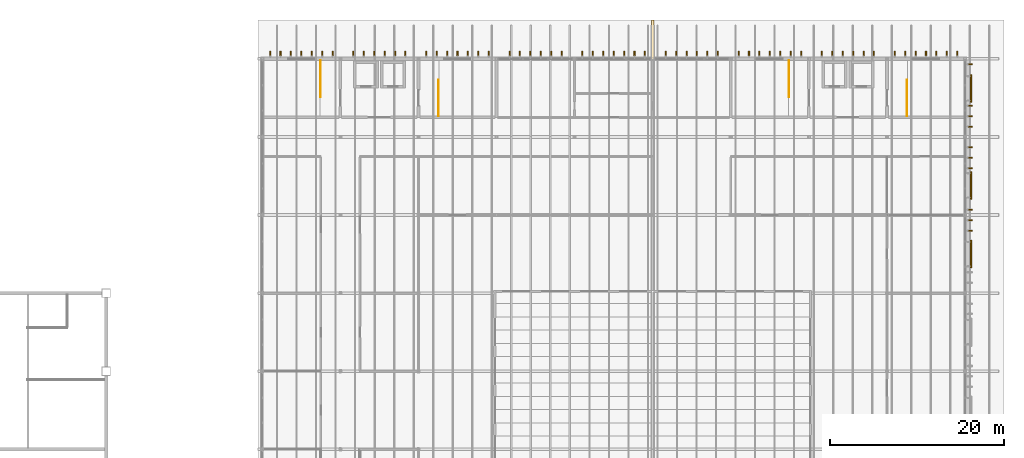
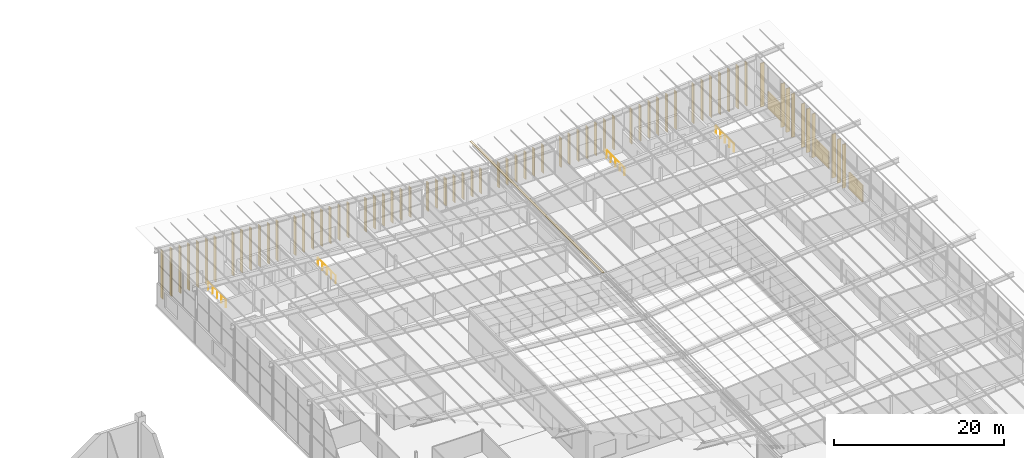
# One storey, part 85 of 85: 70 coverings, 4 railings, 3 shading devices.
"""IFC4 building model written with IfcOpenShell, lengths in metres."""

from ifc_helpers import new_model, si_unit, direction, frame, origin, origin_2d, place, context, subcontext, project, spatial, rectangle, circle, extrude, material, layer, layer_set, constituent, constituent_set, type_object, element, save


model = new_model("IFC4")

# Units and contexts
model_context = context("Model", 3, precision=1e-05, world=origin(), true_north=direction((0.0, 1.0)))
body_context = subcontext(model_context, "Body", "Model", "MODEL_VIEW")
ifc_project = project(units=[si_unit("LENGTHUNIT", "METRE"), si_unit("AREAUNIT", "SQUARE_METRE"), si_unit("VOLUMEUNIT", "CUBIC_METRE"), si_unit("PLANEANGLEUNIT", "RADIAN"), si_unit("MASSUNIT", "GRAM", prefix="KILO")], contexts=[model_context])

# Site, building, storey
site_placement = place(None, origin())
site = spatial("IfcSite", under=ifc_project, at=site_placement, CompositionType="ELEMENT")
building_placement = place(site_placement, origin())
building = spatial("IfcBuilding", under=site, at=building_placement, Name="Opaline Strait Convention Centre", CompositionType="ELEMENT")
storey_placement = place(building_placement, frame((0.0, 0.0, 17.0)))
storey = spatial("IfcBuildingStorey", under=building, at=storey_placement, Name="L03", CompositionType="ELEMENT", Elevation=17.0)

# Railings
ifc_material_1 = material(Name="Steel Q235B", Category="steel")
ifc_constituent_1 = constituent(ifc_material_1, Name="Frame")
ifc_material_2 = material(Name="Safety glass, bonded interlayer", Category="glass")
ifc_constituent_2 = constituent(ifc_material_2, Name="Infill")
ifc_constituent_set = constituent_set(constituents=[ifc_constituent_1, ifc_constituent_2], Name="Steel Q235B, Safety glass, bonded interlayer")
railing_type = type_object("IfcRailingType", Name="Guard 1100 steel and glass", PredefinedType="GUARDRAIL", material=ifc_constituent_set)
railing_1_placement = place(storey_placement, frame((285.7001953125, 179.800048828125, 0.0)))
element("IfcRailing", 1, at=railing_1_placement, inside=storey, type_object=railing_type, Name="L03 S5 top well guard 1", PredefinedType="GUARDRAIL", context=body_context, shape_type="SweptSolid", body=[
    extrude(circle(Radius=0.02392578125, at=origin_2d()), frame((0.0, 0.0, 1.076171875), z_axis=(0.0, -1.0, 0.0), x_axis=(1.0, 0.0, 0.0)), (0.0, 0.0, 1.0), 4.199951171875),
    extrude(circle(Radius=0.02099609375, at=origin_2d()), origin(), (0.0, 0.0, 1.0), 1.052001953125),
    extrude(circle(Radius=0.02099609375, at=origin_2d()), frame((0.0, -1.050048828125, 0.0)), (0.0, 0.0, 1.0), 1.052001953125),
    extrude(circle(Radius=0.02099609375, at=origin_2d()), frame((0.0, -2.10009765625, 0.0)), (0.0, 0.0, 1.0), 1.052001953125),
    extrude(circle(Radius=0.02099609375, at=origin_2d()), frame((0.0, -3.14990234375, 0.0)), (0.0, 0.0, 1.0), 1.052001953125),
    extrude(circle(Radius=0.02099609375, at=origin_2d()), frame((0.0, -4.199951171875, 0.0)), (0.0, 0.0, 1.0), 1.052001953125),
])
for number, where, name in (
    (2, (299.2998046875, 173.39990234375, 0.0), "L03 S6 top well guard 1"),
    (3, (353.2998046875, 173.39990234375, 0.0), "L03 S7 top well guard 1"),
):
    element("IfcRailing", number, at=place(storey_placement, frame(where)), inside=storey, type_object=railing_type, Name=name, PredefinedType="GUARDRAIL", context=body_context, shape_type="SweptSolid", body=[
        extrude(circle(Radius=0.02392578125, at=origin_2d()), frame((0.0, 0.0, 1.076171875), z_axis=(0.0, 1.0, 0.0), x_axis=(-1.0, 0.0, 0.0)), (0.0, 0.0, 1.0), 4.199951171875),
        extrude(circle(Radius=0.02099609375, at=origin_2d()), origin(), (0.0, 0.0, 1.0), 1.052001953125),
        extrude(circle(Radius=0.02099609375, at=origin_2d()), frame((0.0, 1.050048828125, 0.0)), (0.0, 0.0, 1.0), 1.052001953125),
        extrude(circle(Radius=0.02099609375, at=origin_2d()), frame((0.0, 2.10009765625, 0.0)), (0.0, 0.0, 1.0), 1.052001953125),
        extrude(circle(Radius=0.02099609375, at=origin_2d()), frame((0.0, 3.14990234375, 0.0)), (0.0, 0.0, 1.0), 1.052001953125),
        extrude(circle(Radius=0.02099609375, at=origin_2d()), frame((0.0, 4.199951171875, 0.0)), (0.0, 0.0, 1.0), 1.052001953125),
    ])
railing_2_placement = place(storey_placement, frame((339.7001953125, 179.800048828125, 0.0)))
element("IfcRailing", 4, at=railing_2_placement, inside=storey, type_object=railing_type, Name="L03 S8 top well guard 1", PredefinedType="GUARDRAIL", context=body_context, shape_type="SweptSolid", body=[
    extrude(circle(Radius=0.02392578125, at=origin_2d()), frame((0.0, 0.0, 1.076171875), z_axis=(0.0, -1.0, 0.0), x_axis=(1.0, 0.0, 0.0)), (0.0, 0.0, 1.0), 4.199951171875),
    extrude(circle(Radius=0.02099609375, at=origin_2d()), origin(), (0.0, 0.0, 1.0), 1.052001953125),
    extrude(circle(Radius=0.02099609375, at=origin_2d()), frame((0.0, -1.050048828125, 0.0)), (0.0, 0.0, 1.0), 1.052001953125),
    extrude(circle(Radius=0.02099609375, at=origin_2d()), frame((0.0, -2.10009765625, 0.0)), (0.0, 0.0, 1.0), 1.052001953125),
    extrude(circle(Radius=0.02099609375, at=origin_2d()), frame((0.0, -3.14990234375, 0.0)), (0.0, 0.0, 1.0), 1.052001953125),
    extrude(circle(Radius=0.02099609375, at=origin_2d()), frame((0.0, -4.199951171875, 0.0)), (0.0, 0.0, 1.0), 1.052001953125),
])

# Covering
ifc_material_3 = material(Name="Aluminium alloy 6063-T5", Category="aluminium")
ifc_layer_1 = layer(ifc_material_3, 0.0400390625)
ifc_layer_set_1 = layer_set([ifc_layer_1], Name="Aluminium alloy 6063-T5")
covering_type_1 = type_object("IfcCoveringType", Name="Ridge cap 300 aluminium", PredefinedType="CLADDING", material=ifc_layer_set_1)
covering_1_placement = place(storey_placement, frame((324.0, 168.902587890625, 5.025146484375), z_axis=(0.0, 0.0, 1.0), x_axis=(1.0, 0.0, 0.0)))
element("IfcCovering", 5, at=covering_1_placement, inside=storey, type_object=covering_type_1, Name="MRC1 valley ridge cap N", PredefinedType="CLADDING", context=body_context, shape_type="SweptSolid", body=[
    extrude(rectangle(XDim=0.300048828125, YDim=31.114990234375, at=origin_2d()), origin(), (0.0, 0.0, 1.0), 0.0400390625),
])

# Shading devices
ifc_layer_2 = layer(ifc_material_3, 0.14990234375)
ifc_layer_set_2 = layer_set([ifc_layer_2], Name="Aluminium alloy 6063-T5")
shading_device_type = type_object("IfcShadingDeviceType", Name="Storm louvre 3200 x 2400 aluminium", PredefinedType="JALOUSIE", material=ifc_layer_set_2)
for number, where, z_axis, x_axis, name in (
    (6, (360.675048828125, 157.5, 0.75), (0.0, 0.0, 1.0), (1.0, 0.0, 0.0), "Storm louvre L03"),
    (7, (360.675048828125, 165.41259765625, 0.75), (0.0, 0.0, 1.0), (1.0, 0.0, 0.0), "Storm louvre L03"),
    (8, (360.675048828125, 176.58740234375, 0.75), (0.0, 0.0, 1.0), (1.0, 0.0, 0.0), "Storm louvre L03"),
):
    element("IfcShadingDevice", number, at=place(storey_placement, frame(where, z_axis=z_axis, x_axis=x_axis)), inside=storey, type_object=shading_device_type, Name=name, PredefinedType="JALOUSIE", context=body_context, shape_type="SweptSolid", body=[
        extrude(rectangle(XDim=0.14990234375, YDim=3.199951171875, at=origin_2d()), origin(), (0.0, 0.0, 1.0), 2.39990234375),
    ])

# Coverings
ifc_layer_3 = layer(ifc_material_3, 0.1201171875)
ifc_layer_set_3 = layer_set([ifc_layer_3], Name="Aluminium alloy 6063-T5")
covering_type_2 = type_object("IfcCoveringType", Name="Storm louvre fin 120 x 500 aluminium", PredefinedType="CLADDING", material=ifc_layer_set_3)
covering_2_placement = place(storey_placement, frame((279.89990234375, 180.60009765625, 0.25), z_axis=(0.0, 0.0, 1.0), x_axis=(1.0, 0.0, 0.0)))
element("IfcCovering", 9, at=covering_2_placement, inside=storey, type_object=covering_type_2, Name="Storm louvre fin N L03", PredefinedType="CLADDING", context=body_context, shape_type="SweptSolid", body=[
    extrude(rectangle(XDim=0.1201171875, YDim=0.5, at=origin_2d()), origin(), (0.0, 0.0, 1.0), 6.920654296875),
])
covering_3_placement = place(storey_placement, frame((281.10009765625, 180.60009765625, 0.25), z_axis=(0.0, 0.0, 1.0), x_axis=(1.0, 0.0, 0.0)))
element("IfcCovering", 10, at=covering_3_placement, inside=storey, type_object=covering_type_2, Name="Storm louvre fin N L03", PredefinedType="CLADDING", context=body_context, shape_type="SweptSolid", body=[
    extrude(rectangle(XDim=0.1201171875, YDim=0.5, at=origin_2d()), origin(), (0.0, 0.0, 1.0), 6.826416015625),
])
covering_4_placement = place(storey_placement, frame((282.300048828125, 180.60009765625, 0.25), z_axis=(0.0, 0.0, 1.0), x_axis=(1.0, 0.0, 0.0)))
element("IfcCovering", 11, at=covering_4_placement, inside=storey, type_object=covering_type_2, Name="Storm louvre fin N L03", PredefinedType="CLADDING", context=body_context, shape_type="SweptSolid", body=[
    extrude(rectangle(XDim=0.1201171875, YDim=0.5, at=origin_2d()), origin(), (0.0, 0.0, 1.0), 6.73193359375),
])
covering_5_placement = place(storey_placement, frame((283.5, 180.60009765625, 0.25), z_axis=(0.0, 0.0, 1.0), x_axis=(1.0, 0.0, 0.0)))
element("IfcCovering", 12, at=covering_5_placement, inside=storey, type_object=covering_type_2, Name="Storm louvre fin N L03", PredefinedType="CLADDING", context=body_context, shape_type="SweptSolid", body=[
    extrude(rectangle(XDim=0.1201171875, YDim=0.5, at=origin_2d()), origin(), (0.0, 0.0, 1.0), 6.637451171875),
])
covering_6_placement = place(storey_placement, frame((284.699951171875, 180.60009765625, 0.25), z_axis=(0.0, 0.0, 1.0), x_axis=(1.0, 0.0, 0.0)))
element("IfcCovering", 13, at=covering_6_placement, inside=storey, type_object=covering_type_2, Name="Storm louvre fin N L03", PredefinedType="CLADDING", context=body_context, shape_type="SweptSolid", body=[
    extrude(rectangle(XDim=0.1201171875, YDim=0.5, at=origin_2d()), origin(), (0.0, 0.0, 1.0), 6.54296875),
])
covering_7_placement = place(storey_placement, frame((285.89990234375, 180.60009765625, 0.25), z_axis=(0.0, 0.0, 1.0), x_axis=(1.0, 0.0, 0.0)))
element("IfcCovering", 14, at=covering_7_placement, inside=storey, type_object=covering_type_2, Name="Storm louvre fin N L03", PredefinedType="CLADDING", context=body_context, shape_type="SweptSolid", body=[
    extrude(rectangle(XDim=0.1201171875, YDim=0.5, at=origin_2d()), origin(), (0.0, 0.0, 1.0), 6.448486328125),
])
covering_8_placement = place(storey_placement, frame((287.10009765625, 180.60009765625, 0.25), z_axis=(0.0, 0.0, 1.0), x_axis=(1.0, 0.0, 0.0)))
element("IfcCovering", 15, at=covering_8_placement, inside=storey, type_object=covering_type_2, Name="Storm louvre fin N L03", PredefinedType="CLADDING", context=body_context, shape_type="SweptSolid", body=[
    extrude(rectangle(XDim=0.1201171875, YDim=0.5, at=origin_2d()), origin(), (0.0, 0.0, 1.0), 6.35400390625),
])
covering_9_placement = place(storey_placement, frame((289.5, 180.60009765625, 0.25), z_axis=(0.0, 0.0, 1.0), x_axis=(1.0, 0.0, 0.0)))
element("IfcCovering", 16, at=covering_9_placement, inside=storey, type_object=covering_type_2, Name="Storm louvre fin N L03", PredefinedType="CLADDING", context=body_context, shape_type="SweptSolid", body=[
    extrude(rectangle(XDim=0.1201171875, YDim=0.5, at=origin_2d()), origin(), (0.0, 0.0, 1.0), 6.165283203125),
])
covering_10_placement = place(storey_placement, frame((290.699951171875, 180.60009765625, 0.25), z_axis=(0.0, 0.0, 1.0), x_axis=(1.0, 0.0, 0.0)))
element("IfcCovering", 17, at=covering_10_placement, inside=storey, type_object=covering_type_2, Name="Storm louvre fin N L03", PredefinedType="CLADDING", context=body_context, shape_type="SweptSolid", body=[
    extrude(rectangle(XDim=0.1201171875, YDim=0.5, at=origin_2d()), origin(), (0.0, 0.0, 1.0), 6.07080078125),
])
covering_11_placement = place(storey_placement, frame((291.89990234375, 180.60009765625, 0.25), z_axis=(0.0, 0.0, 1.0), x_axis=(1.0, 0.0, 0.0)))
element("IfcCovering", 18, at=covering_11_placement, inside=storey, type_object=covering_type_2, Name="Storm louvre fin N L03", PredefinedType="CLADDING", context=body_context, shape_type="SweptSolid", body=[
    extrude(rectangle(XDim=0.1201171875, YDim=0.5, at=origin_2d()), origin(), (0.0, 0.0, 1.0), 5.976318359375),
])
covering_12_placement = place(storey_placement, frame((293.10009765625, 180.60009765625, 0.25), z_axis=(0.0, 0.0, 1.0), x_axis=(1.0, 0.0, 0.0)))
element("IfcCovering", 19, at=covering_12_placement, inside=storey, type_object=covering_type_2, Name="Storm louvre fin N L03", PredefinedType="CLADDING", context=body_context, shape_type="SweptSolid", body=[
    extrude(rectangle(XDim=0.1201171875, YDim=0.5, at=origin_2d()), origin(), (0.0, 0.0, 1.0), 5.8818359375),
])
covering_13_placement = place(storey_placement, frame((294.300048828125, 180.60009765625, 0.25), z_axis=(0.0, 0.0, 1.0), x_axis=(1.0, 0.0, 0.0)))
element("IfcCovering", 20, at=covering_13_placement, inside=storey, type_object=covering_type_2, Name="Storm louvre fin N L03", PredefinedType="CLADDING", context=body_context, shape_type="SweptSolid", body=[
    extrude(rectangle(XDim=0.1201171875, YDim=0.5, at=origin_2d()), origin(), (0.0, 0.0, 1.0), 5.787353515625),
])
covering_14_placement = place(storey_placement, frame((295.5, 180.60009765625, 0.25), z_axis=(0.0, 0.0, 1.0), x_axis=(1.0, 0.0, 0.0)))
element("IfcCovering", 21, at=covering_14_placement, inside=storey, type_object=covering_type_2, Name="Storm louvre fin N L03", PredefinedType="CLADDING", context=body_context, shape_type="SweptSolid", body=[
    extrude(rectangle(XDim=0.1201171875, YDim=0.5, at=origin_2d()), origin(), (0.0, 0.0, 1.0), 5.693115234375),
])
covering_15_placement = place(storey_placement, frame((297.89990234375, 180.60009765625, 0.25), z_axis=(0.0, 0.0, 1.0), x_axis=(1.0, 0.0, 0.0)))
element("IfcCovering", 22, at=covering_15_placement, inside=storey, type_object=covering_type_2, Name="Storm louvre fin N L03", PredefinedType="CLADDING", context=body_context, shape_type="SweptSolid", body=[
    extrude(rectangle(XDim=0.1201171875, YDim=0.5, at=origin_2d()), origin(), (0.0, 0.0, 1.0), 5.504150390625),
])
covering_16_placement = place(storey_placement, frame((299.10009765625, 180.60009765625, 0.25), z_axis=(0.0, 0.0, 1.0), x_axis=(1.0, 0.0, 0.0)))
element("IfcCovering", 23, at=covering_16_placement, inside=storey, type_object=covering_type_2, Name="Storm louvre fin N L03", PredefinedType="CLADDING", context=body_context, shape_type="SweptSolid", body=[
    extrude(rectangle(XDim=0.1201171875, YDim=0.5, at=origin_2d()), origin(), (0.0, 0.0, 1.0), 5.40966796875),
])
covering_17_placement = place(storey_placement, frame((300.300048828125, 180.60009765625, 0.25), z_axis=(0.0, 0.0, 1.0), x_axis=(1.0, 0.0, 0.0)))
element("IfcCovering", 24, at=covering_17_placement, inside=storey, type_object=covering_type_2, Name="Storm louvre fin N L03", PredefinedType="CLADDING", context=body_context, shape_type="SweptSolid", body=[
    extrude(rectangle(XDim=0.1201171875, YDim=0.5, at=origin_2d()), origin(), (0.0, 0.0, 1.0), 5.315185546875),
])
covering_18_placement = place(storey_placement, frame((301.5, 180.60009765625, 0.25), z_axis=(0.0, 0.0, 1.0), x_axis=(1.0, 0.0, 0.0)))
element("IfcCovering", 25, at=covering_18_placement, inside=storey, type_object=covering_type_2, Name="Storm louvre fin N L03", PredefinedType="CLADDING", context=body_context, shape_type="SweptSolid", body=[
    extrude(rectangle(XDim=0.1201171875, YDim=0.5, at=origin_2d()), origin(), (0.0, 0.0, 1.0), 5.220703125),
])
covering_19_placement = place(storey_placement, frame((302.699951171875, 180.60009765625, 0.25), z_axis=(0.0, 0.0, 1.0), x_axis=(1.0, 0.0, 0.0)))
element("IfcCovering", 26, at=covering_19_placement, inside=storey, type_object=covering_type_2, Name="Storm louvre fin N L03", PredefinedType="CLADDING", context=body_context, shape_type="SweptSolid", body=[
    extrude(rectangle(XDim=0.1201171875, YDim=0.5, at=origin_2d()), origin(), (0.0, 0.0, 1.0), 5.12646484375),
])
covering_20_placement = place(storey_placement, frame((303.89990234375, 180.60009765625, 0.25), z_axis=(0.0, 0.0, 1.0), x_axis=(1.0, 0.0, 0.0)))
element("IfcCovering", 27, at=covering_20_placement, inside=storey, type_object=covering_type_2, Name="Storm louvre fin N L03", PredefinedType="CLADDING", context=body_context, shape_type="SweptSolid", body=[
    extrude(rectangle(XDim=0.1201171875, YDim=0.5, at=origin_2d()), origin(), (0.0, 0.0, 1.0), 5.031982421875),
])
covering_21_placement = place(storey_placement, frame((305.10009765625, 180.60009765625, 0.25), z_axis=(0.0, 0.0, 1.0), x_axis=(1.0, 0.0, 0.0)))
element("IfcCovering", 28, at=covering_21_placement, inside=storey, type_object=covering_type_2, Name="Storm louvre fin N L03", PredefinedType="CLADDING", context=body_context, shape_type="SweptSolid", body=[
    extrude(rectangle(XDim=0.1201171875, YDim=0.5, at=origin_2d()), origin(), (0.0, 0.0, 1.0), 4.9375),
])
covering_22_placement = place(storey_placement, frame((307.5, 180.60009765625, 0.25), z_axis=(0.0, 0.0, 1.0), x_axis=(1.0, 0.0, 0.0)))
element("IfcCovering", 29, at=covering_22_placement, inside=storey, type_object=covering_type_2, Name="Storm louvre fin N L03", PredefinedType="CLADDING", context=body_context, shape_type="SweptSolid", body=[
    extrude(rectangle(XDim=0.1201171875, YDim=0.5, at=origin_2d()), origin(), (0.0, 0.0, 1.0), 4.74853515625),
])
covering_23_placement = place(storey_placement, frame((308.699951171875, 180.60009765625, 0.25), z_axis=(0.0, 0.0, 1.0), x_axis=(1.0, 0.0, 0.0)))
element("IfcCovering", 30, at=covering_23_placement, inside=storey, type_object=covering_type_2, Name="Storm louvre fin N L03", PredefinedType="CLADDING", context=body_context, shape_type="SweptSolid", body=[
    extrude(rectangle(XDim=0.1201171875, YDim=0.5, at=origin_2d()), origin(), (0.0, 0.0, 1.0), 4.654052734375),
])
covering_24_placement = place(storey_placement, frame((309.89990234375, 180.60009765625, 0.25), z_axis=(0.0, 0.0, 1.0), x_axis=(1.0, 0.0, 0.0)))
element("IfcCovering", 31, at=covering_24_placement, inside=storey, type_object=covering_type_2, Name="Storm louvre fin N L03", PredefinedType="CLADDING", context=body_context, shape_type="SweptSolid", body=[
    extrude(rectangle(XDim=0.1201171875, YDim=0.5, at=origin_2d()), origin(), (0.0, 0.0, 1.0), 4.559814453125),
])
covering_25_placement = place(storey_placement, frame((311.10009765625, 180.60009765625, 0.25), z_axis=(0.0, 0.0, 1.0), x_axis=(1.0, 0.0, 0.0)))
element("IfcCovering", 32, at=covering_25_placement, inside=storey, type_object=covering_type_2, Name="Storm louvre fin N L03", PredefinedType="CLADDING", context=body_context, shape_type="SweptSolid", body=[
    extrude(rectangle(XDim=0.1201171875, YDim=0.5, at=origin_2d()), origin(), (0.0, 0.0, 1.0), 4.46533203125),
])
covering_26_placement = place(storey_placement, frame((312.300048828125, 180.60009765625, 0.25), z_axis=(0.0, 0.0, 1.0), x_axis=(1.0, 0.0, 0.0)))
element("IfcCovering", 33, at=covering_26_placement, inside=storey, type_object=covering_type_2, Name="Storm louvre fin N L03", PredefinedType="CLADDING", context=body_context, shape_type="SweptSolid", body=[
    extrude(rectangle(XDim=0.1201171875, YDim=0.5, at=origin_2d()), origin(), (0.0, 0.0, 1.0), 4.370849609375),
])
covering_27_placement = place(storey_placement, frame((313.5, 180.60009765625, 0.25), z_axis=(0.0, 0.0, 1.0), x_axis=(1.0, 0.0, 0.0)))
element("IfcCovering", 34, at=covering_27_placement, inside=storey, type_object=covering_type_2, Name="Storm louvre fin N L03", PredefinedType="CLADDING", context=body_context, shape_type="SweptSolid", body=[
    extrude(rectangle(XDim=0.1201171875, YDim=0.5, at=origin_2d()), origin(), (0.0, 0.0, 1.0), 4.2763671875),
])
covering_28_placement = place(storey_placement, frame((315.89990234375, 180.60009765625, 0.25), z_axis=(0.0, 0.0, 1.0), x_axis=(1.0, 0.0, 0.0)))
element("IfcCovering", 35, at=covering_28_placement, inside=storey, type_object=covering_type_2, Name="Storm louvre fin N L03", PredefinedType="CLADDING", context=body_context, shape_type="SweptSolid", body=[
    extrude(rectangle(XDim=0.1201171875, YDim=0.5, at=origin_2d()), origin(), (0.0, 0.0, 1.0), 4.08740234375),
])
covering_29_placement = place(storey_placement, frame((317.10009765625, 180.60009765625, 0.25), z_axis=(0.0, 0.0, 1.0), x_axis=(1.0, 0.0, 0.0)))
element("IfcCovering", 36, at=covering_29_placement, inside=storey, type_object=covering_type_2, Name="Storm louvre fin N L03", PredefinedType="CLADDING", context=body_context, shape_type="SweptSolid", body=[
    extrude(rectangle(XDim=0.1201171875, YDim=0.5, at=origin_2d()), origin(), (0.0, 0.0, 1.0), 3.992919921875),
])
covering_30_placement = place(storey_placement, frame((318.300048828125, 180.60009765625, 0.25), z_axis=(0.0, 0.0, 1.0), x_axis=(1.0, 0.0, 0.0)))
element("IfcCovering", 37, at=covering_30_placement, inside=storey, type_object=covering_type_2, Name="Storm louvre fin N L03", PredefinedType="CLADDING", context=body_context, shape_type="SweptSolid", body=[
    extrude(rectangle(XDim=0.1201171875, YDim=0.5, at=origin_2d()), origin(), (0.0, 0.0, 1.0), 3.898681640625),
])
covering_31_placement = place(storey_placement, frame((319.5, 180.60009765625, 0.25), z_axis=(0.0, 0.0, 1.0), x_axis=(1.0, 0.0, 0.0)))
element("IfcCovering", 38, at=covering_31_placement, inside=storey, type_object=covering_type_2, Name="Storm louvre fin N L03", PredefinedType="CLADDING", context=body_context, shape_type="SweptSolid", body=[
    extrude(rectangle(XDim=0.1201171875, YDim=0.5, at=origin_2d()), origin(), (0.0, 0.0, 1.0), 3.80419921875),
])
covering_32_placement = place(storey_placement, frame((320.699951171875, 180.60009765625, 0.25), z_axis=(0.0, 0.0, 1.0), x_axis=(1.0, 0.0, 0.0)))
element("IfcCovering", 39, at=covering_32_placement, inside=storey, type_object=covering_type_2, Name="Storm louvre fin N L03", PredefinedType="CLADDING", context=body_context, shape_type="SweptSolid", body=[
    extrude(rectangle(XDim=0.1201171875, YDim=0.5, at=origin_2d()), origin(), (0.0, 0.0, 1.0), 3.709716796875),
])
covering_33_placement = place(storey_placement, frame((321.89990234375, 180.60009765625, 0.25), z_axis=(0.0, 0.0, 1.0), x_axis=(1.0, 0.0, 0.0)))
element("IfcCovering", 40, at=covering_33_placement, inside=storey, type_object=covering_type_2, Name="Storm louvre fin N L03", PredefinedType="CLADDING", context=body_context, shape_type="SweptSolid", body=[
    extrude(rectangle(XDim=0.1201171875, YDim=0.5, at=origin_2d()), origin(), (0.0, 0.0, 1.0), 3.615234375),
])
covering_34_placement = place(storey_placement, frame((323.10009765625, 180.60009765625, 0.25), z_axis=(0.0, 0.0, 1.0), x_axis=(1.0, 0.0, 0.0)))
element("IfcCovering", 41, at=covering_34_placement, inside=storey, type_object=covering_type_2, Name="Storm louvre fin N L03", PredefinedType="CLADDING", context=body_context, shape_type="SweptSolid", body=[
    extrude(rectangle(XDim=0.1201171875, YDim=0.5, at=origin_2d()), origin(), (0.0, 0.0, 1.0), 3.520751953125),
])
covering_35_placement = place(storey_placement, frame((325.5, 180.60009765625, 0.25), z_axis=(0.0, 0.0, 1.0), x_axis=(1.0, 0.0, 0.0)))
element("IfcCovering", 42, at=covering_35_placement, inside=storey, type_object=covering_type_2, Name="Storm louvre fin N L03", PredefinedType="CLADDING", context=body_context, shape_type="SweptSolid", body=[
    extrude(rectangle(XDim=0.1201171875, YDim=0.5, at=origin_2d()), origin(), (0.0, 0.0, 1.0), 3.568115234375),
])
covering_36_placement = place(storey_placement, frame((326.699951171875, 180.60009765625, 0.25), z_axis=(0.0, 0.0, 1.0), x_axis=(1.0, 0.0, 0.0)))
element("IfcCovering", 43, at=covering_36_placement, inside=storey, type_object=covering_type_2, Name="Storm louvre fin N L03", PredefinedType="CLADDING", context=body_context, shape_type="SweptSolid", body=[
    extrude(rectangle(XDim=0.1201171875, YDim=0.5, at=origin_2d()), origin(), (0.0, 0.0, 1.0), 3.66259765625),
])
covering_37_placement = place(storey_placement, frame((327.89990234375, 180.60009765625, 0.25), z_axis=(0.0, 0.0, 1.0), x_axis=(1.0, 0.0, 0.0)))
element("IfcCovering", 44, at=covering_37_placement, inside=storey, type_object=covering_type_2, Name="Storm louvre fin N L03", PredefinedType="CLADDING", context=body_context, shape_type="SweptSolid", body=[
    extrude(rectangle(XDim=0.1201171875, YDim=0.5, at=origin_2d()), origin(), (0.0, 0.0, 1.0), 3.7568359375),
])
covering_38_placement = place(storey_placement, frame((329.10009765625, 180.60009765625, 0.25), z_axis=(0.0, 0.0, 1.0), x_axis=(1.0, 0.0, 0.0)))
element("IfcCovering", 45, at=covering_38_placement, inside=storey, type_object=covering_type_2, Name="Storm louvre fin N L03", PredefinedType="CLADDING", context=body_context, shape_type="SweptSolid", body=[
    extrude(rectangle(XDim=0.1201171875, YDim=0.5, at=origin_2d()), origin(), (0.0, 0.0, 1.0), 3.851318359375),
])
covering_39_placement = place(storey_placement, frame((330.300048828125, 180.60009765625, 0.25), z_axis=(0.0, 0.0, 1.0), x_axis=(1.0, 0.0, 0.0)))
element("IfcCovering", 46, at=covering_39_placement, inside=storey, type_object=covering_type_2, Name="Storm louvre fin N L03", PredefinedType="CLADDING", context=body_context, shape_type="SweptSolid", body=[
    extrude(rectangle(XDim=0.1201171875, YDim=0.5, at=origin_2d()), origin(), (0.0, 0.0, 1.0), 3.94580078125),
])
covering_40_placement = place(storey_placement, frame((331.5, 180.60009765625, 0.25), z_axis=(0.0, 0.0, 1.0), x_axis=(1.0, 0.0, 0.0)))
element("IfcCovering", 47, at=covering_40_placement, inside=storey, type_object=covering_type_2, Name="Storm louvre fin N L03", PredefinedType="CLADDING", context=body_context, shape_type="SweptSolid", body=[
    extrude(rectangle(XDim=0.1201171875, YDim=0.5, at=origin_2d()), origin(), (0.0, 0.0, 1.0), 4.040283203125),
])
covering_41_placement = place(storey_placement, frame((333.89990234375, 180.60009765625, 0.25), z_axis=(0.0, 0.0, 1.0), x_axis=(1.0, 0.0, 0.0)))
element("IfcCovering", 48, at=covering_41_placement, inside=storey, type_object=covering_type_2, Name="Storm louvre fin N L03", PredefinedType="CLADDING", context=body_context, shape_type="SweptSolid", body=[
    extrude(rectangle(XDim=0.1201171875, YDim=0.5, at=origin_2d()), origin(), (0.0, 0.0, 1.0), 4.229248046875),
])
covering_42_placement = place(storey_placement, frame((335.10009765625, 180.60009765625, 0.25), z_axis=(0.0, 0.0, 1.0), x_axis=(1.0, 0.0, 0.0)))
element("IfcCovering", 49, at=covering_42_placement, inside=storey, type_object=covering_type_2, Name="Storm louvre fin N L03", PredefinedType="CLADDING", context=body_context, shape_type="SweptSolid", body=[
    extrude(rectangle(XDim=0.1201171875, YDim=0.5, at=origin_2d()), origin(), (0.0, 0.0, 1.0), 4.323486328125),
])
covering_43_placement = place(storey_placement, frame((336.300048828125, 180.60009765625, 0.25), z_axis=(0.0, 0.0, 1.0), x_axis=(1.0, 0.0, 0.0)))
element("IfcCovering", 50, at=covering_43_placement, inside=storey, type_object=covering_type_2, Name="Storm louvre fin N L03", PredefinedType="CLADDING", context=body_context, shape_type="SweptSolid", body=[
    extrude(rectangle(XDim=0.1201171875, YDim=0.5, at=origin_2d()), origin(), (0.0, 0.0, 1.0), 4.41796875),
])
covering_44_placement = place(storey_placement, frame((337.5, 180.60009765625, 0.25), z_axis=(0.0, 0.0, 1.0), x_axis=(1.0, 0.0, 0.0)))
element("IfcCovering", 51, at=covering_44_placement, inside=storey, type_object=covering_type_2, Name="Storm louvre fin N L03", PredefinedType="CLADDING", context=body_context, shape_type="SweptSolid", body=[
    extrude(rectangle(XDim=0.1201171875, YDim=0.5, at=origin_2d()), origin(), (0.0, 0.0, 1.0), 4.512451171875),
])
covering_45_placement = place(storey_placement, frame((338.699951171875, 180.60009765625, 0.25), z_axis=(0.0, 0.0, 1.0), x_axis=(1.0, 0.0, 0.0)))
element("IfcCovering", 52, at=covering_45_placement, inside=storey, type_object=covering_type_2, Name="Storm louvre fin N L03", PredefinedType="CLADDING", context=body_context, shape_type="SweptSolid", body=[
    extrude(rectangle(XDim=0.1201171875, YDim=0.5, at=origin_2d()), origin(), (0.0, 0.0, 1.0), 4.60693359375),
])
covering_46_placement = place(storey_placement, frame((339.89990234375, 180.60009765625, 0.25), z_axis=(0.0, 0.0, 1.0), x_axis=(1.0, 0.0, 0.0)))
element("IfcCovering", 53, at=covering_46_placement, inside=storey, type_object=covering_type_2, Name="Storm louvre fin N L03", PredefinedType="CLADDING", context=body_context, shape_type="SweptSolid", body=[
    extrude(rectangle(XDim=0.1201171875, YDim=0.5, at=origin_2d()), origin(), (0.0, 0.0, 1.0), 4.701416015625),
])
covering_47_placement = place(storey_placement, frame((341.10009765625, 180.60009765625, 0.25), z_axis=(0.0, 0.0, 1.0), x_axis=(1.0, 0.0, 0.0)))
element("IfcCovering", 54, at=covering_47_placement, inside=storey, type_object=covering_type_2, Name="Storm louvre fin N L03", PredefinedType="CLADDING", context=body_context, shape_type="SweptSolid", body=[
    extrude(rectangle(XDim=0.1201171875, YDim=0.5, at=origin_2d()), origin(), (0.0, 0.0, 1.0), 4.7958984375),
])
covering_48_placement = place(storey_placement, frame((343.5, 180.60009765625, 0.25), z_axis=(0.0, 0.0, 1.0), x_axis=(1.0, 0.0, 0.0)))
element("IfcCovering", 55, at=covering_48_placement, inside=storey, type_object=covering_type_2, Name="Storm louvre fin N L03", PredefinedType="CLADDING", context=body_context, shape_type="SweptSolid", body=[
    extrude(rectangle(XDim=0.1201171875, YDim=0.5, at=origin_2d()), origin(), (0.0, 0.0, 1.0), 4.984619140625),
])
covering_49_placement = place(storey_placement, frame((344.699951171875, 180.60009765625, 0.25), z_axis=(0.0, 0.0, 1.0), x_axis=(1.0, 0.0, 0.0)))
element("IfcCovering", 56, at=covering_49_placement, inside=storey, type_object=covering_type_2, Name="Storm louvre fin N L03", PredefinedType="CLADDING", context=body_context, shape_type="SweptSolid", body=[
    extrude(rectangle(XDim=0.1201171875, YDim=0.5, at=origin_2d()), origin(), (0.0, 0.0, 1.0), 5.0791015625),
])
covering_50_placement = place(storey_placement, frame((345.89990234375, 180.60009765625, 0.25), z_axis=(0.0, 0.0, 1.0), x_axis=(1.0, 0.0, 0.0)))
element("IfcCovering", 57, at=covering_50_placement, inside=storey, type_object=covering_type_2, Name="Storm louvre fin N L03", PredefinedType="CLADDING", context=body_context, shape_type="SweptSolid", body=[
    extrude(rectangle(XDim=0.1201171875, YDim=0.5, at=origin_2d()), origin(), (0.0, 0.0, 1.0), 5.173583984375),
])
covering_51_placement = place(storey_placement, frame((347.10009765625, 180.60009765625, 0.25), z_axis=(0.0, 0.0, 1.0), x_axis=(1.0, 0.0, 0.0)))
element("IfcCovering", 58, at=covering_51_placement, inside=storey, type_object=covering_type_2, Name="Storm louvre fin N L03", PredefinedType="CLADDING", context=body_context, shape_type="SweptSolid", body=[
    extrude(rectangle(XDim=0.1201171875, YDim=0.5, at=origin_2d()), origin(), (0.0, 0.0, 1.0), 5.26806640625),
])
covering_52_placement = place(storey_placement, frame((348.300048828125, 180.60009765625, 0.25), z_axis=(0.0, 0.0, 1.0), x_axis=(1.0, 0.0, 0.0)))
element("IfcCovering", 59, at=covering_52_placement, inside=storey, type_object=covering_type_2, Name="Storm louvre fin N L03", PredefinedType="CLADDING", context=body_context, shape_type="SweptSolid", body=[
    extrude(rectangle(XDim=0.1201171875, YDim=0.5, at=origin_2d()), origin(), (0.0, 0.0, 1.0), 5.362548828125),
])
covering_53_placement = place(storey_placement, frame((349.5, 180.60009765625, 0.25), z_axis=(0.0, 0.0, 1.0), x_axis=(1.0, 0.0, 0.0)))
element("IfcCovering", 60, at=covering_53_placement, inside=storey, type_object=covering_type_2, Name="Storm louvre fin N L03", PredefinedType="CLADDING", context=body_context, shape_type="SweptSolid", body=[
    extrude(rectangle(XDim=0.1201171875, YDim=0.5, at=origin_2d()), origin(), (0.0, 0.0, 1.0), 5.456787109375),
])
covering_54_placement = place(storey_placement, frame((351.89990234375, 180.60009765625, 0.25), z_axis=(0.0, 0.0, 1.0), x_axis=(1.0, 0.0, 0.0)))
element("IfcCovering", 61, at=covering_54_placement, inside=storey, type_object=covering_type_2, Name="Storm louvre fin N L03", PredefinedType="CLADDING", context=body_context, shape_type="SweptSolid", body=[
    extrude(rectangle(XDim=0.1201171875, YDim=0.5, at=origin_2d()), origin(), (0.0, 0.0, 1.0), 5.645751953125),
])
covering_55_placement = place(storey_placement, frame((353.10009765625, 180.60009765625, 0.25), z_axis=(0.0, 0.0, 1.0), x_axis=(1.0, 0.0, 0.0)))
element("IfcCovering", 62, at=covering_55_placement, inside=storey, type_object=covering_type_2, Name="Storm louvre fin N L03", PredefinedType="CLADDING", context=body_context, shape_type="SweptSolid", body=[
    extrude(rectangle(XDim=0.1201171875, YDim=0.5, at=origin_2d()), origin(), (0.0, 0.0, 1.0), 5.740234375),
])
covering_56_placement = place(storey_placement, frame((354.300048828125, 180.60009765625, 0.25), z_axis=(0.0, 0.0, 1.0), x_axis=(1.0, 0.0, 0.0)))
element("IfcCovering", 63, at=covering_56_placement, inside=storey, type_object=covering_type_2, Name="Storm louvre fin N L03", PredefinedType="CLADDING", context=body_context, shape_type="SweptSolid", body=[
    extrude(rectangle(XDim=0.1201171875, YDim=0.5, at=origin_2d()), origin(), (0.0, 0.0, 1.0), 5.834716796875),
])
covering_57_placement = place(storey_placement, frame((355.5, 180.60009765625, 0.25), z_axis=(0.0, 0.0, 1.0), x_axis=(1.0, 0.0, 0.0)))
element("IfcCovering", 64, at=covering_57_placement, inside=storey, type_object=covering_type_2, Name="Storm louvre fin N L03", PredefinedType="CLADDING", context=body_context, shape_type="SweptSolid", body=[
    extrude(rectangle(XDim=0.1201171875, YDim=0.5, at=origin_2d()), origin(), (0.0, 0.0, 1.0), 5.92919921875),
])
covering_58_placement = place(storey_placement, frame((356.699951171875, 180.60009765625, 0.25), z_axis=(0.0, 0.0, 1.0), x_axis=(1.0, 0.0, 0.0)))
element("IfcCovering", 65, at=covering_58_placement, inside=storey, type_object=covering_type_2, Name="Storm louvre fin N L03", PredefinedType="CLADDING", context=body_context, shape_type="SweptSolid", body=[
    extrude(rectangle(XDim=0.1201171875, YDim=0.5, at=origin_2d()), origin(), (0.0, 0.0, 1.0), 6.0234375),
])
covering_59_placement = place(storey_placement, frame((357.89990234375, 180.60009765625, 0.25), z_axis=(0.0, 0.0, 1.0), x_axis=(1.0, 0.0, 0.0)))
element("IfcCovering", 66, at=covering_59_placement, inside=storey, type_object=covering_type_2, Name="Storm louvre fin N L03", PredefinedType="CLADDING", context=body_context, shape_type="SweptSolid", body=[
    extrude(rectangle(XDim=0.1201171875, YDim=0.5, at=origin_2d()), origin(), (0.0, 0.0, 1.0), 6.117919921875),
])
covering_60_placement = place(storey_placement, frame((359.10009765625, 180.60009765625, 0.25), z_axis=(0.0, 0.0, 1.0), x_axis=(1.0, 0.0, 0.0)))
element("IfcCovering", 67, at=covering_60_placement, inside=storey, type_object=covering_type_2, Name="Storm louvre fin N L03", PredefinedType="CLADDING", context=body_context, shape_type="SweptSolid", body=[
    extrude(rectangle(XDim=0.1201171875, YDim=0.5, at=origin_2d()), origin(), (0.0, 0.0, 1.0), 6.21240234375),
])
for number, where, z_axis, x_axis, name in (
    (68, (360.60009765625, 160.199951171875, 0.25), (0.0, 0.0, 1.0), (1.0, 0.0, 0.0), "Storm louvre fin E L03"),
    (69, (360.60009765625, 161.39990234375, 0.25), (0.0, 0.0, 1.0), (1.0, 0.0, 0.0), "Storm louvre fin E L03"),
    (70, (360.60009765625, 162.60009765625, 0.25), (0.0, 0.0, 1.0), (1.0, 0.0, 0.0), "Storm louvre fin E L03"),
    (71, (360.60009765625, 167.39990234375, 0.25), (0.0, 0.0, 1.0), (1.0, 0.0, 0.0), "Storm louvre fin E L03"),
    (72, (360.60009765625, 168.60009765625, 0.25), (0.0, 0.0, 1.0), (1.0, 0.0, 0.0), "Storm louvre fin E L03"),
    (73, (360.60009765625, 169.800048828125, 0.25), (0.0, 0.0, 1.0), (1.0, 0.0, 0.0), "Storm louvre fin E L03"),
    (74, (360.60009765625, 172.199951171875, 0.25), (0.0, 0.0, 1.0), (1.0, 0.0, 0.0), "Storm louvre fin E L03"),
    (75, (360.60009765625, 173.39990234375, 0.25), (0.0, 0.0, 1.0), (1.0, 0.0, 0.0), "Storm louvre fin E L03"),
    (76, (360.60009765625, 174.60009765625, 0.25), (0.0, 0.0, 1.0), (1.0, 0.0, 0.0), "Storm louvre fin E L03"),
    (77, (360.60009765625, 179.39990234375, 0.25), (0.0, 0.0, 1.0), (1.0, 0.0, 0.0), "Storm louvre fin E L03"),
):
    element("IfcCovering", number, at=place(storey_placement, frame(where, z_axis=z_axis, x_axis=x_axis)), inside=storey, type_object=covering_type_2, Name=name, PredefinedType="CLADDING", context=body_context, shape_type="SweptSolid", body=[
        extrude(rectangle(XDim=0.5, YDim=0.1201171875, at=origin_2d()), origin(), (0.0, 0.0, 1.0), 6.283203125),
    ])

save(model, "model.ifc")
